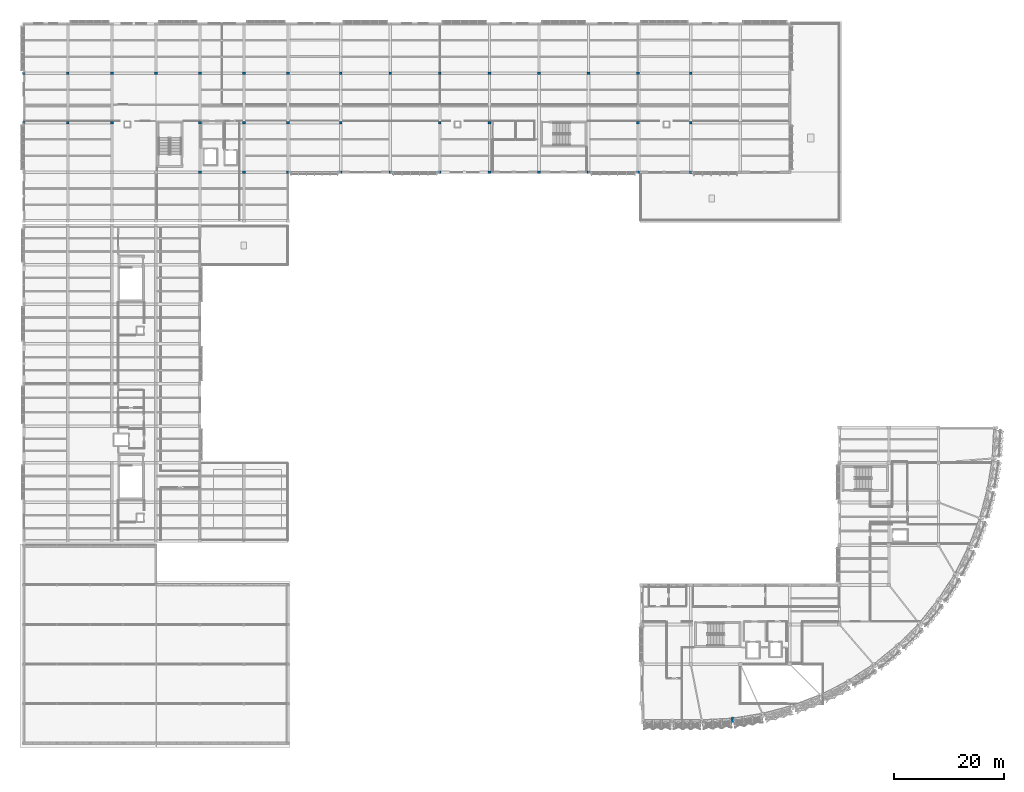
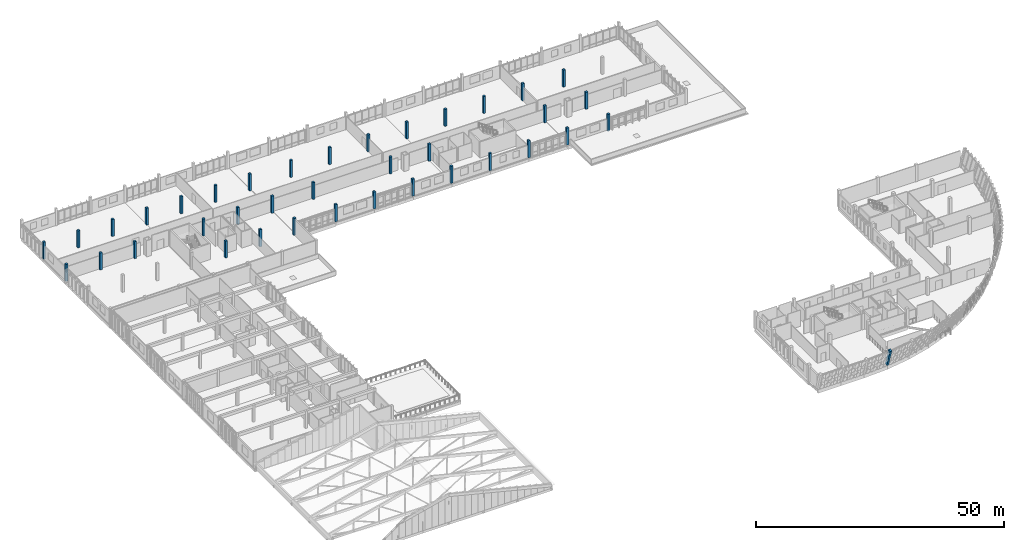
# One storey, part 2 of 107: 38 columns.
"""IFC4 building model written with IfcOpenShell, lengths in metres."""

from ifc_helpers import new_model, si_unit, direction, frame, origin, origin_2d, place, context, subcontext, project, spatial, rectangle, extrude, material, material_profile, profile_set, type_object, element, save


model = new_model("IFC4")

# Units and contexts
model_context = context("Model", 3, precision=1e-05, world=origin(), true_north=direction((0.0, 1.0)))
body_context = subcontext(model_context, "Body", "Model", "MODEL_VIEW")
ifc_project = project(units=[si_unit("LENGTHUNIT", "METRE"), si_unit("AREAUNIT", "SQUARE_METRE"), si_unit("VOLUMEUNIT", "CUBIC_METRE"), si_unit("PLANEANGLEUNIT", "RADIAN"), si_unit("MASSUNIT", "GRAM", prefix="KILO")], contexts=[model_context])

# Site, building, storey
site_placement = place(None, origin())
site = spatial("IfcSite", under=ifc_project, at=site_placement, CompositionType="ELEMENT")
building_placement = place(site_placement, origin())
building = spatial("IfcBuilding", under=site, at=building_placement, Name="Chiffa Square Polytechnic", CompositionType="ELEMENT")
storey_placement = place(building_placement, frame((0.0, 0.0, 13.800048828125)))
storey = spatial("IfcBuildingStorey", under=building, at=storey_placement, Name="L03", CompositionType="ELEMENT", Elevation=13.800048828125)

# Columns
ifc_material_1 = material(Name="Glulam GL32c", Category="wood")
ifc_material_profile_1 = material_profile(ifc_material_1, rectangle(XDim=0.449951171875, YDim=0.64990234375, at=origin_2d()), Name="GL32c 450x650")
ifc_profile_set_1 = profile_set([ifc_material_profile_1], Name="Glulam GL32c")
column_type_1 = type_object("IfcColumnType", Name="COL-RAKED-GL650", PredefinedType="USERDEFINED", material=ifc_profile_set_1)
column_placement = place(storey_placement, frame((128.760009765625, 4.452880859375, 0.0), z_axis=(0.028414203881, -0.270773938952, 0.96222352237), x_axis=(0.994539172272, 0.104363953628, 0.0)))
element("IfcColumn", 1, at=column_placement, inside=storey, type_object=column_type_1, Name="Outward-leaning glulam column CRK-V1-L03-04", ObjectType="RAKED COLUMN", PredefinedType="USERDEFINED", context=body_context, shape_type="SweptSolid", body=[
    extrude(rectangle(XDim=0.449951171875, YDim=0.64990234375, at=origin_2d()), origin(), (0.0, 0.0, 1.0), 4.36474609375),
])
ifc_material_2 = material(Name="Concrete C35/45", Category="concrete")
ifc_material_profile_2 = material_profile(ifc_material_2, rectangle(XDim=0.5, YDim=0.5, at=origin_2d()), Name="RC 500x500")
ifc_profile_set_2 = profile_set([ifc_material_profile_2], Name="Concrete C35/45")
column_type_2 = type_object("IfcColumnType", Name="COL-RC-500", PredefinedType="COLUMN", material=ifc_profile_set_2)
for number, where, z_axis, x_axis, name in (
    (2, (0.0, 112.800048828125, 0.0), (0.0, 0.0, 1.0), (1.0, 0.0, 0.0), "Column C-V5-L03-0000-1128"),
    (3, (0.0, 121.800048828125, 0.0), (0.0, 0.0, 1.0), (1.0, 0.0, 0.0), "Column C-V5-L03-0000-1218"),
    (4, (8.0, 112.800048828125, 0.0), (0.0, 0.0, 1.0), (1.0, 0.0, 0.0), "Column C-V5-L03-0080-1128"),
    (5, (8.0, 121.800048828125, 0.0), (0.0, 0.0, 1.0), (1.0, 0.0, 0.0), "Column C-V5-L03-0080-1218"),
    (6, (16.0, 112.800048828125, 0.0), (0.0, 0.0, 1.0), (1.0, 0.0, 0.0), "Column C-V5-L03-0160-1128"),
    (7, (16.0, 121.800048828125, 0.0), (0.0, 0.0, 1.0), (1.0, 0.0, 0.0), "Column C-V5-L03-0160-1218"),
    (8, (24.0, 121.800048828125, 0.0), (0.0, 0.0, 1.0), (1.0, 0.0, 0.0), "Column C-V5-L03-0240-1218"),
    (9, (32.0, 103.800048828125, 0.0), (0.0, 0.0, 1.0), (1.0, 0.0, 0.0), "Column C-V5-L03-0320-1038"),
    (10, (32.0, 112.800048828125, 0.0), (0.0, 0.0, 1.0), (1.0, 0.0, 0.0), "Column C-V5-L03-0320-1128"),
    (11, (32.0, 121.800048828125, 0.0), (0.0, 0.0, 1.0), (1.0, 0.0, 0.0), "Column C-V5-L03-0320-1218"),
    (12, (40.0, 103.800048828125, 0.0), (0.0, 0.0, 1.0), (1.0, 0.0, 0.0), "Column C-V5-L03-0400-1038"),
    (13, (40.0, 112.800048828125, 0.0), (0.0, 0.0, 1.0), (1.0, 0.0, 0.0), "Column C-V5-L03-0400-1128"),
    (14, (40.0, 121.800048828125, 0.0), (0.0, 0.0, 1.0), (1.0, 0.0, 0.0), "Column C-V5-L03-0400-1218"),
    (15, (48.0, 103.800048828125, 0.0), (0.0, 0.0, 1.0), (1.0, 0.0, 0.0), "Column C-V5-L03-0480-1038"),
    (16, (48.0, 112.800048828125, 0.0), (0.0, 0.0, 1.0), (1.0, 0.0, 0.0), "Column C-V5-L03-0480-1128"),
    (17, (48.0, 121.800048828125, 0.0), (0.0, 0.0, 1.0), (1.0, 0.0, 0.0), "Column C-V5-L03-0480-1218"),
    (18, (57.60009765625, 103.800048828125, 0.0), (0.0, 0.0, 1.0), (1.0, 0.0, 0.0), "Column C-V5-L03-0576-1038"),
    (19, (57.60009765625, 112.800048828125, 0.0), (0.0, 0.0, 1.0), (1.0, 0.0, 0.0), "Column C-V5-L03-0576-1128"),
    (20, (57.60009765625, 121.800048828125, 0.0), (0.0, 0.0, 1.0), (1.0, 0.0, 0.0), "Column C-V5-L03-0576-1218"),
    (21, (66.60009765625, 103.800048828125, 0.0), (0.0, 0.0, 1.0), (1.0, 0.0, 0.0), "Column C-V5-L03-0666-1038"),
    (22, (66.60009765625, 121.800048828125, 0.0), (0.0, 0.0, 1.0), (1.0, 0.0, 0.0), "Column C-V5-L03-0666-1218"),
    (23, (75.60009765625, 103.800048828125, 0.0), (0.0, 0.0, 1.0), (1.0, 0.0, 0.0), "Column C-V5-L03-0756-1038"),
    (24, (75.60009765625, 112.800048828125, 0.0), (0.0, 0.0, 1.0), (1.0, 0.0, 0.0), "Column C-V5-L03-0756-1128"),
    (25, (75.60009765625, 121.800048828125, 0.0), (0.0, 0.0, 1.0), (1.0, 0.0, 0.0), "Column C-V5-L03-0756-1218"),
    (26, (84.60009765625, 103.800048828125, 0.0), (0.0, 0.0, 1.0), (1.0, 0.0, 0.0), "Column C-V5-L03-0846-1038"),
    (27, (84.60009765625, 112.800048828125, 0.0), (0.0, 0.0, 1.0), (1.0, 0.0, 0.0), "Column C-V5-L03-0846-1128"),
    (28, (84.60009765625, 121.800048828125, 0.0), (0.0, 0.0, 1.0), (1.0, 0.0, 0.0), "Column C-V5-L03-0846-1218"),
    (29, (93.60009765625, 103.800048828125, 0.0), (0.0, 0.0, 1.0), (1.0, 0.0, 0.0), "Column C-V5-L03-0936-1038"),
    (30, (93.60009765625, 121.800048828125, 0.0), (0.0, 0.0, 1.0), (1.0, 0.0, 0.0), "Column C-V5-L03-0936-1218"),
    (31, (102.60009765625, 103.800048828125, 0.0), (0.0, 0.0, 1.0), (1.0, 0.0, 0.0), "Column C-V5-L03-1026-1038"),
    (32, (102.60009765625, 121.800048828125, 0.0), (0.0, 0.0, 1.0), (1.0, 0.0, 0.0), "Column C-V5-L03-1026-1218"),
    (33, (111.60009765625, 103.800048828125, 0.0), (0.0, 0.0, 1.0), (1.0, 0.0, 0.0), "Column C-V5-L03-1116-1038"),
    (34, (111.60009765625, 112.800048828125, 0.0), (0.0, 0.0, 1.0), (1.0, 0.0, 0.0), "Column C-V5-L03-1116-1128"),
    (35, (111.60009765625, 121.800048828125, 0.0), (0.0, 0.0, 1.0), (1.0, 0.0, 0.0), "Column C-V5-L03-1116-1218"),
    (36, (121.199951171875, 103.800048828125, 0.0), (0.0, 0.0, 1.0), (1.0, 0.0, 0.0), "Column C-V5-L03-1212-1038"),
    (37, (121.199951171875, 112.800048828125, 0.0), (0.0, 0.0, 1.0), (1.0, 0.0, 0.0), "Column C-V5-L03-1212-1128"),
    (38, (121.199951171875, 121.800048828125, 0.0), (0.0, 0.0, 1.0), (1.0, 0.0, 0.0), "Column C-V5-L03-1212-1218"),
):
    element("IfcColumn", number, at=place(storey_placement, frame(where, z_axis=z_axis, x_axis=x_axis)), inside=storey, type_object=column_type_2, Name=name, PredefinedType="COLUMN", context=body_context, shape_type="SweptSolid", body=[
        extrude(rectangle(XDim=0.5, YDim=0.5, at=origin_2d()), origin(), (0.0, 0.0, 1.0), 4.199951171875),
    ])

save(model, "model.ifc")
